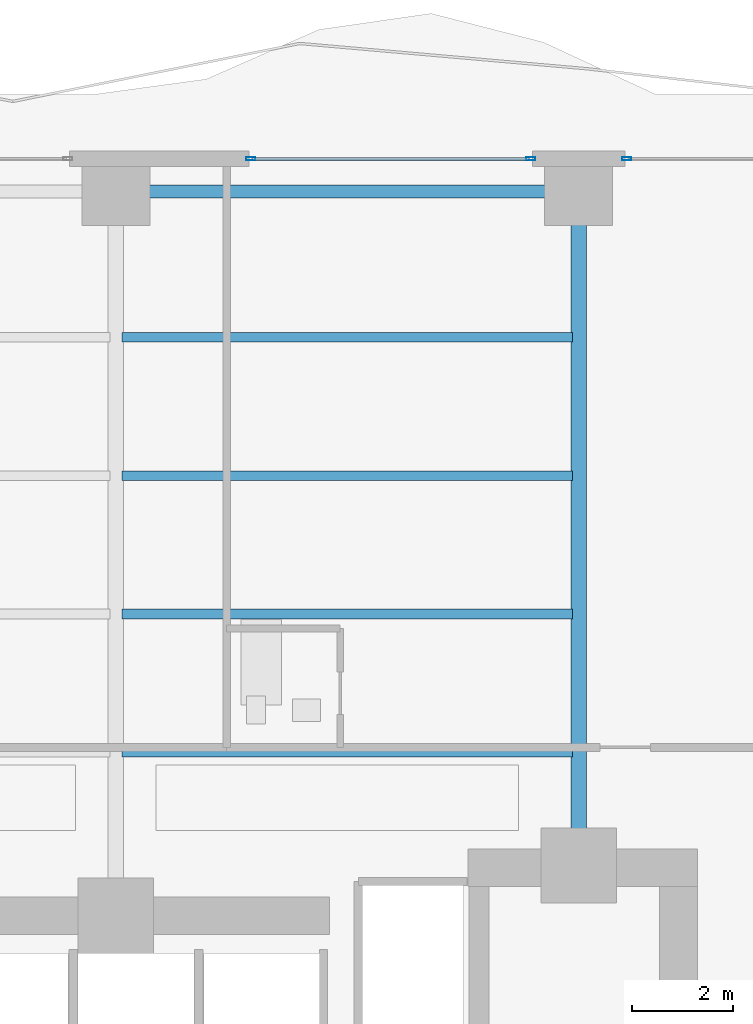
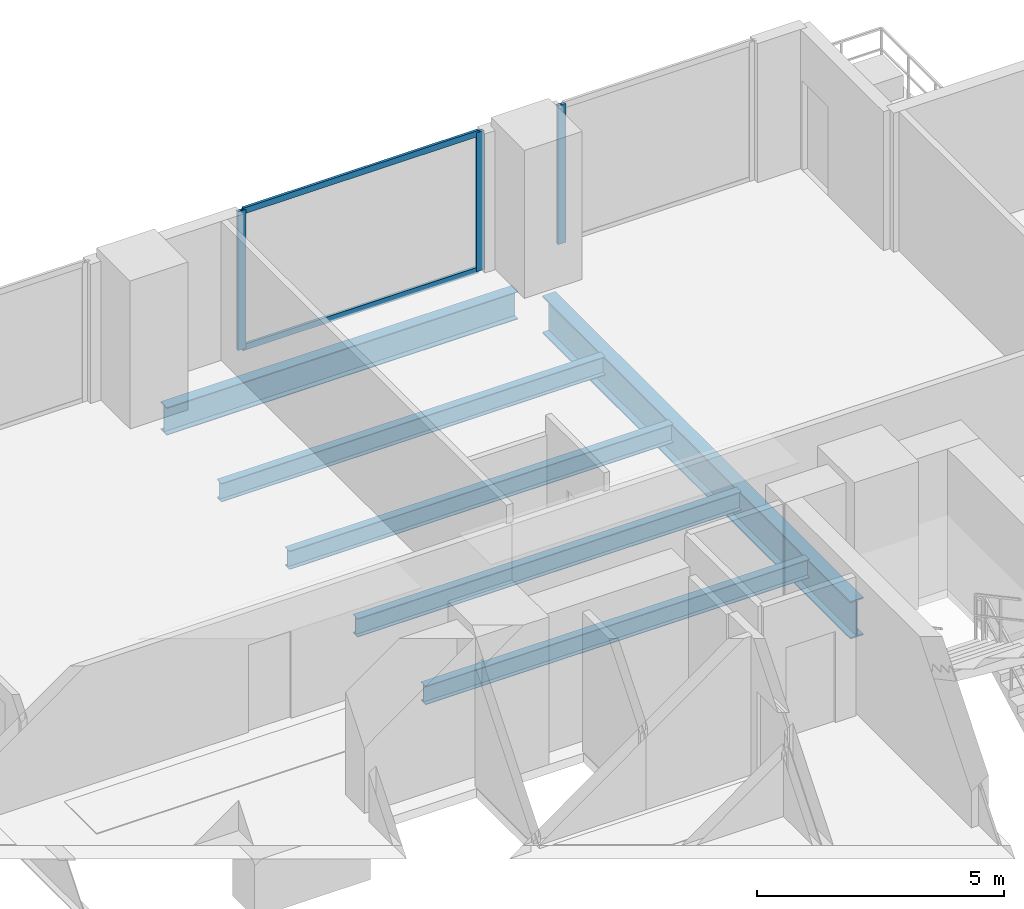
# One storey, part 18 of 28: 6 beams, 5 members, 2 elements without a shape of their own.
"""IFC4 building model written with IfcOpenShell, lengths in metres."""

from ifc_helpers import new_model, si_unit, direction, frame, origin, origin_2d, place, context, subcontext, project, spatial, hollow_rectangle, i_section, extrude, material, layer, layer_set, material_profile, profile_set, type_object, element, aggregate, save


model = new_model("IFC4")

# Units and contexts
model_context = context("Model", 3, precision=1e-05, world=origin(), true_north=direction((0.0, 1.0)))
body_context = subcontext(model_context, "Body", "Model", "MODEL_VIEW")
ifc_project = project(units=[si_unit("LENGTHUNIT", "METRE"), si_unit("AREAUNIT", "SQUARE_METRE"), si_unit("VOLUMEUNIT", "CUBIC_METRE"), si_unit("PLANEANGLEUNIT", "RADIAN"), si_unit("MASSUNIT", "GRAM", prefix="KILO")], contexts=[model_context])

# Site, building, storey
site_placement = place(None, origin())
site = spatial("IfcSite", under=ifc_project, at=site_placement, CompositionType="ELEMENT")
building_placement = place(site_placement, origin())
building = spatial("IfcBuilding", under=site, at=building_placement, Name="Zuhayl Quay Hotel", CompositionType="ELEMENT")
storey_placement = place(building_placement, frame((0.0, 0.0, 146.75)))
storey = spatial("IfcBuildingStorey", under=building, at=storey_placement, Name="L37", CompositionType="ELEMENT", Elevation=146.75)

# Beams
ifc_material_1 = material(Name="Steel ASTM A992 Grade 50", Category="steel")
ifc_material_profile_1 = material_profile(ifc_material_1, i_section(OverallWidth=0.25390625, OverallDepth=0.68310546875, WebThickness=0.012451171875, FlangeThickness=0.018798828125, at=origin_2d()), Name="W27X94")
ifc_profile_set_1 = profile_set([ifc_material_profile_1], Name="Steel ASTM A992 Grade 50")
beam_type_1 = type_object("IfcBeamType", Name="BM_B2_W27X94", PredefinedType="BEAM", material=ifc_profile_set_1)
beam_1_placement = place(storey_placement, frame((13.300048828125, 27.75, -0.5615234375), z_axis=(-1.0, 0.0, 0.0), x_axis=(0.0, -1.0, 0.0)))
element("IfcBeam", 1, at=beam_1_placement, inside=storey, type_object=beam_type_1, Name="L37 Floor Beam RG_L37_07", PredefinedType="BEAM", context=body_context, shape_type="SweptSolid", body=[
    extrude(i_section(OverallWidth=0.25390625, OverallDepth=0.68310546875, WebThickness=0.012451171875, FlangeThickness=0.018798828125, at=origin_2d()), origin(), (0.0, 0.0, 1.0), 8.199951171875),
])
ifc_material_profile_2 = material_profile(ifc_material_1, i_section(OverallWidth=0.18994140625, OverallDepth=0.45703125, WebThickness=0.009033203125, FlangeThickness=0.014404296875, at=origin_2d()), Name="W18X50")
ifc_profile_set_2 = profile_set([ifc_material_profile_2], Name="Steel ASTM A992 Grade 50")
beam_type_2 = type_object("IfcBeamType", Name="BM_J2_W18X50", PredefinedType="JOIST", material=ifc_profile_set_2)
for number, where, z_axis, x_axis, name in (
    (2, (4.718994140625, 16.60009765625, -0.448486328125), (1.0, 0.0, 0.0), (0.0, 1.0, 0.0), "L37 Floor Beam FJ_L37_1_3"),
    (3, (4.718994140625, 19.35009765625, -0.448486328125), (1.0, 0.0, 0.0), (0.0, 1.0, 0.0), "L37 Floor Beam FJ_L37_2_3"),
    (4, (4.718994140625, 22.10009765625, -0.448486328125), (1.0, 0.0, 0.0), (0.0, 1.0, 0.0), "L37 Floor Beam FJ_L37_3_3"),
    (5, (4.718994140625, 24.85009765625, -0.448486328125), (1.0, 0.0, 0.0), (0.0, 1.0, 0.0), "L37 Floor Beam FJ_L37_4_3"),
):
    element("IfcBeam", number, at=place(storey_placement, frame(where, z_axis=z_axis, x_axis=x_axis)), inside=storey, type_object=beam_type_2, Name=name, PredefinedType="JOIST", context=body_context, shape_type="SweptSolid", body=[
        extrude(i_section(OverallWidth=0.18994140625, OverallDepth=0.45703125, WebThickness=0.009033203125, FlangeThickness=0.014404296875, at=origin_2d()), origin(), (0.0, 0.0, 1.0), 8.9619140625),
    ])
ifc_material_profile_3 = material_profile(ifc_material_1, i_section(OverallWidth=0.306884765625, OverallDepth=0.927001953125, WebThickness=0.019287109375, FlangeThickness=0.031982421875, at=origin_2d()), Name="W36X194")
ifc_profile_set_3 = profile_set([ifc_material_profile_3], Name="Steel ASTM A992 Grade 50")
beam_type_3 = type_object("IfcBeamType", Name="BM_PG2_W36X194", PredefinedType="BEAM", material=ifc_profile_set_3)
beam_2_placement = place(storey_placement, frame((13.800048828125, 14.800048828125, -0.68359375), z_axis=(0.0, 1.0, 0.0), x_axis=(-1.0, 0.0, 0.0)))
element("IfcBeam", 6, at=beam_2_placement, inside=storey, type_object=beam_type_3, Name="L37 Floor Beam FG_N_L37_4", PredefinedType="BEAM", context=body_context, shape_type="SweptSolid", body=[
    extrude(i_section(OverallWidth=0.306884765625, OverallDepth=0.927001953125, WebThickness=0.019287109375, FlangeThickness=0.031982421875, at=origin_2d()), origin(), (0.0, 0.0, 1.0), 12.449951171875),
])

# Curtain wall, members
ifc_material_2 = material(Name="Anodised Aluminium 6063-T6", Category="aluminium")
ifc_layer = layer(ifc_material_2, 0.179931640625, Name="Anodised Aluminium 6063-T6", Category="aluminium")
ifc_layer_set = layer_set([ifc_layer], Name="Anodised Aluminium 6063-T6")
curtain_wall_type = type_object("IfcCurtainWallType", Name="CW_SYS_Z2", PredefinedType="USERDEFINED", material=ifc_layer_set)
curtain_wall_1_placement = place(storey_placement, origin())
curtain_wall_1 = element("IfcCurtainWall", 7, at=curtain_wall_1_placement, inside=storey, type_object=curtain_wall_type, Name="L37 Curtain Wall ENV_L37_N_CW5", ObjectType="UNITISED CURTAIN WALL", PredefinedType="USERDEFINED")
ifc_material_3 = material(Name="Black-anodised aluminium 6063-T6", Category="aluminium")
ifc_material_profile_4 = material_profile(ifc_material_3, hollow_rectangle(XDim=0.06494140625, YDim=0.179931640625, WallThickness=0.00341796875, at=origin_2d()), Name="ALU180X65")
ifc_profile_set_4 = profile_set([ifc_material_profile_4], Name="Black-anodised aluminium 6063-T6")
member_type_1 = type_object("IfcMemberType", Name="MB_CW_MUL_180", PredefinedType="MULLION", material=ifc_profile_set_4)
member_1_placement = place(storey_placement, frame((7.282470703125, 28.39990234375, 0.0), z_axis=(0.0, 0.0, 1.0), x_axis=(0.0, 1.0, 0.0)))
member_1 = element("IfcMember", 8, at=member_1_placement, type_object=member_type_1, Name="CW-Z2 mullion 1", PredefinedType="MULLION", context=body_context, shape_type="SweptSolid", body=[
    extrude(hollow_rectangle(XDim=0.06494140625, YDim=0.179931640625, WallThickness=0.00341796875, at=origin_2d()), origin(), (0.0, 0.0, 1.0), 3.429931640625),
])
member_2_placement = place(storey_placement, frame((12.847412109375, 28.39990234375, 0.0), z_axis=(0.0, 0.0, 1.0), x_axis=(0.0, 1.0, 0.0)))
member_2 = element("IfcMember", 9, at=member_2_placement, type_object=member_type_1, Name="CW-Z2 mullion 2", PredefinedType="MULLION", context=body_context, shape_type="SweptSolid", body=[
    extrude(hollow_rectangle(XDim=0.06494140625, YDim=0.179931640625, WallThickness=0.00341796875, at=origin_2d()), origin(), (0.0, 0.0, 1.0), 3.429931640625),
])

# Curtain wall, member
curtain_wall_2_placement = place(storey_placement, origin())
curtain_wall_2 = element("IfcCurtainWall", 10, at=curtain_wall_2_placement, inside=storey, type_object=curtain_wall_type, Name="L37 Curtain Wall ENV_L37_N_CW6", ObjectType="UNITISED CURTAIN WALL", PredefinedType="USERDEFINED")
member_3_placement = place(storey_placement, frame((14.75244140625, 28.39990234375, 0.0), z_axis=(0.0, 0.0, 1.0), x_axis=(0.0, 1.0, 0.0)))
member_3 = element("IfcMember", 11, at=member_3_placement, type_object=member_type_1, Name="CW-Z2 mullion 1", PredefinedType="MULLION", context=body_context, shape_type="SweptSolid", body=[
    extrude(hollow_rectangle(XDim=0.06494140625, YDim=0.179931640625, WallThickness=0.00341796875, at=origin_2d()), origin(), (0.0, 0.0, 1.0), 3.429931640625),
])
aggregate(curtain_wall_2, [member_3])

# Member
ifc_material_profile_5 = material_profile(ifc_material_3, hollow_rectangle(XDim=0.06005859375, YDim=0.14990234375, WallThickness=0.00341796875, at=origin_2d()), Name="ALU150X60")
ifc_profile_set_5 = profile_set([ifc_material_profile_5], Name="Black-anodised aluminium 6063-T6")
member_type_2 = type_object("IfcMemberType", Name="MB_CW_TRN_150", PredefinedType="USERDEFINED", material=ifc_profile_set_5)
member_4_placement = place(storey_placement, frame((7.31494140625, 28.39990234375, 0.030029296875), z_axis=(1.0, 0.0, 0.0), x_axis=(0.0, 1.0, 0.0)))
member_4 = element("IfcMember", 12, at=member_4_placement, type_object=member_type_2, Name="CW-Z2 transom 1.1", ObjectType="TRANSOM", PredefinedType="USERDEFINED", context=body_context, shape_type="SweptSolid", body=[
    extrude(hollow_rectangle(XDim=0.06005859375, YDim=0.14990234375, WallThickness=0.00341796875, at=origin_2d()), origin(), (0.0, 0.0, 1.0), 5.5),
])

member_5_placement = place(storey_placement, frame((7.31494140625, 28.39990234375, 3.39990234375), z_axis=(1.0, 0.0, 0.0), x_axis=(0.0, 1.0, 0.0)))
member_5 = element("IfcMember", 13, at=member_5_placement, type_object=member_type_2, Name="CW-Z2 transom 1.2", ObjectType="TRANSOM", PredefinedType="USERDEFINED", context=body_context, shape_type="SweptSolid", body=[
    extrude(hollow_rectangle(XDim=0.06005859375, YDim=0.14990234375, WallThickness=0.00341796875, at=origin_2d()), origin(), (0.0, 0.0, 1.0), 5.5),
])

aggregate(curtain_wall_1, [member_1, member_2, member_4, member_5])

save(model, "model.ifc")
